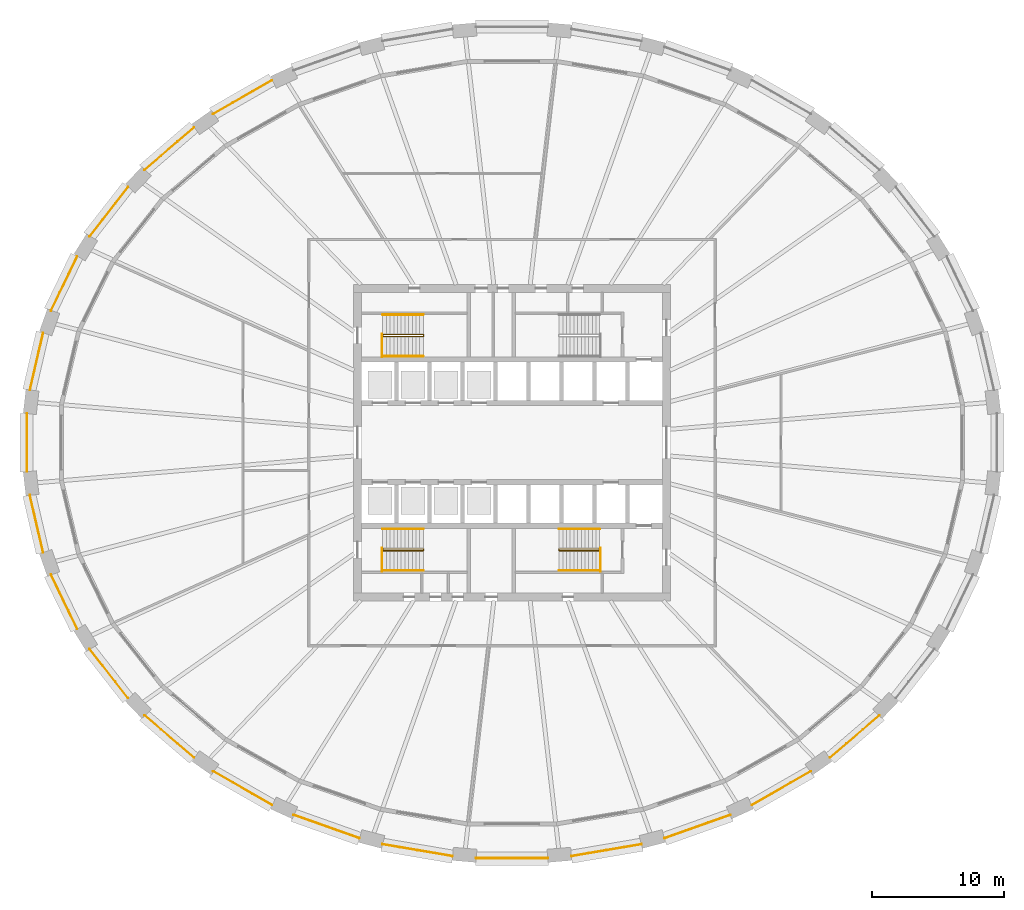
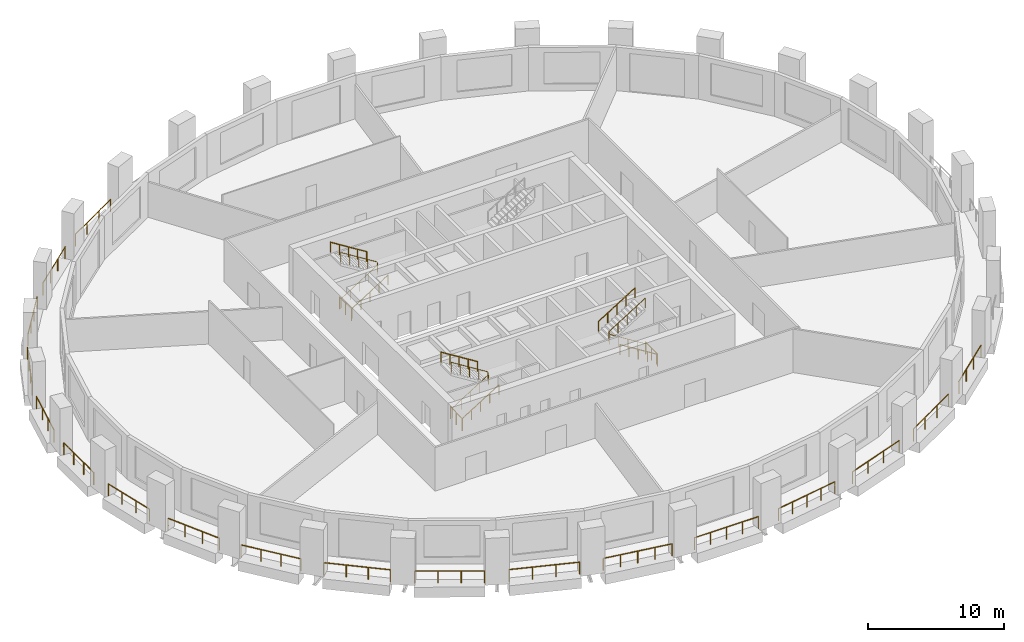
# One storey, part 8 of 10: 30 railings.
"""IFC4 building model written with IfcOpenShell, lengths in metres."""

from ifc_helpers import new_model, si_unit, direction, frame, origin, origin_2d, place, context, subcontext, project, spatial, circle, extrude, material, type_object, element, save


model = new_model("IFC4")

# Units and contexts
model_context = context("Model", 3, precision=1e-05, world=origin(), true_north=direction((0.0, 1.0)))
body_context = subcontext(model_context, "Body", "Model", "MODEL_VIEW")
ifc_project = project(units=[si_unit("LENGTHUNIT", "METRE"), si_unit("AREAUNIT", "SQUARE_METRE"), si_unit("VOLUMEUNIT", "CUBIC_METRE"), si_unit("PLANEANGLEUNIT", "RADIAN"), si_unit("MASSUNIT", "GRAM", prefix="KILO")], contexts=[model_context])

# Site, building, storey
site_placement = place(None, origin())
site = spatial("IfcSite", under=ifc_project, at=site_placement, CompositionType="ELEMENT")
building_placement = place(site_placement, origin())
building = spatial("IfcBuilding", under=site, at=building_placement, Name="Halqa Exchange Tower", CompositionType="ELEMENT")
storey_placement = place(building_placement, frame((0.0, 0.0, 69.699951171875)))
storey = spatial("IfcBuildingStorey", under=building, at=storey_placement, Name="L15", CompositionType="ELEMENT", Elevation=69.699951171875)

# Railings
ifc_material = material(Name="Stainless steel", Category="steel")
railing_type_1 = type_object("IfcRailingType", Name="Guard 1100 stainless steel", PredefinedType="GUARDRAIL", material=ifc_material)
railing_1_placement = place(storey_placement, frame((-18.189208984375, 27.468505859375, 0.0)))
element("IfcRailing", 1, at=railing_1_placement, inside=storey, type_object=railing_type_1, Name="Loggia guard 11", PredefinedType="GUARDRAIL", context=body_context, shape_type="SweptSolid", body=[
    extrude(circle(Radius=0.02392578125, at=origin_2d()), frame((0.0, 0.0, 1.076171875), z_axis=(-0.8677425464, -0.497013956713, 0.0), x_axis=(0.497013956713, -0.8677425464, 0.0)), (0.0, 0.0, 1.0), 5.13671875),
    extrude(circle(Radius=0.02099609375, at=origin_2d()), origin(), (0.0, 0.0, 1.0), 1.052001953125),
    extrude(circle(Radius=0.02099609375, at=origin_2d()), frame((-1.48583984375, -0.85107421875, 0.0)), (0.0, 0.0, 1.0), 1.052001953125),
    extrude(circle(Radius=0.02099609375, at=origin_2d()), frame((-2.971435546875, -1.701904296875, 0.0)), (0.0, 0.0, 1.0), 1.052001953125),
    extrude(circle(Radius=0.02099609375, at=origin_2d()), frame((-4.457275390625, -2.552978515625, 0.0)), (0.0, 0.0, 1.0), 1.052001953125),
])
railing_2_placement = place(storey_placement, frame((-24.11083984375, 23.882568359375, 0.0)))
element("IfcRailing", 2, at=railing_2_placement, inside=storey, type_object=railing_type_1, Name="Loggia guard 12", PredefinedType="GUARDRAIL", context=body_context, shape_type="SweptSolid", body=[
    extrude(circle(Radius=0.02392578125, at=origin_2d()), frame((0.0, 0.0, 1.076171875), z_axis=(-0.759267063974, -0.650779168048, 0.0), x_axis=(0.650779168048, -0.759267063974, 0.0)), (0.0, 0.0, 1.0), 4.94189453125),
    extrude(circle(Radius=0.02099609375, at=origin_2d()), origin(), (0.0, 0.0, 1.0), 1.052001953125),
    extrude(circle(Radius=0.02099609375, at=origin_2d()), frame((-1.250732421875, -1.072021484375, 0.0)), (0.0, 0.0, 1.0), 1.052001953125),
    extrude(circle(Radius=0.02099609375, at=origin_2d()), frame((-2.50146484375, -2.14404296875, 0.0)), (0.0, 0.0, 1.0), 1.052001953125),
    extrude(circle(Radius=0.02099609375, at=origin_2d()), frame((-3.752197265625, -3.216064453125, 0.0)), (0.0, 0.0, 1.0), 1.052001953125),
])
railing_3_placement = place(storey_placement, frame((-29.099853515625, 19.370849609375, 0.0)))
element("IfcRailing", 3, at=railing_3_placement, inside=storey, type_object=railing_type_1, Name="Loggia guard 13", PredefinedType="GUARDRAIL", context=body_context, shape_type="SweptSolid", body=[
    extrude(circle(Radius=0.02392578125, at=origin_2d()), frame((0.0, 0.0, 1.076171875), z_axis=(-0.614806413859, -0.788678054391, 0.0), x_axis=(0.788678054391, -0.614806413859, 0.0)), (0.0, 0.0, 1.0), 4.74169921875),
    extrude(circle(Radius=0.02099609375, at=origin_2d()), origin(), (0.0, 0.0, 1.0), 1.052001953125),
    extrude(circle(Radius=0.02099609375, at=origin_2d()), frame((-0.9716796875, -1.24658203125, 0.0)), (0.0, 0.0, 1.0), 1.052001953125),
    extrude(circle(Radius=0.02099609375, at=origin_2d()), frame((-1.943603515625, -2.4931640625, 0.0)), (0.0, 0.0, 1.0), 1.052001953125),
    extrude(circle(Radius=0.02099609375, at=origin_2d()), frame((-2.915283203125, -3.73974609375, 0.0)), (0.0, 0.0, 1.0), 1.052001953125),
])
railing_4_placement = place(storey_placement, frame((-32.9599609375, 14.111083984375, 0.0)))
element("IfcRailing", 4, at=railing_4_placement, inside=storey, type_object=railing_type_1, Name="Loggia guard 14", PredefinedType="GUARDRAIL", context=body_context, shape_type="SweptSolid", body=[
    extrude(circle(Radius=0.02392578125, at=origin_2d()), frame((0.0, 0.0, 1.076171875), z_axis=(-0.435070438407, -0.900396420264, 0.0), x_axis=(0.900396420264, -0.435070438407, 0.0)), (0.0, 0.0, 1.0), 4.567138671875),
    extrude(circle(Radius=0.02099609375, at=origin_2d()), origin(), (0.0, 0.0, 1.0), 1.052001953125),
    extrude(circle(Radius=0.02099609375, at=origin_2d()), frame((-0.662353515625, -1.370849609375, 0.0)), (0.0, 0.0, 1.0), 1.052001953125),
    extrude(circle(Radius=0.02099609375, at=origin_2d()), frame((-1.32470703125, -2.741455078125, 0.0)), (0.0, 0.0, 1.0), 1.052001953125),
    extrude(circle(Radius=0.02099609375, at=origin_2d()), frame((-1.987060546875, -4.1123046875, 0.0)), (0.0, 0.0, 1.0), 1.052001953125),
])
railing_5_placement = place(storey_placement, frame((-35.542236328125, 8.311767578125, 0.0)))
element("IfcRailing", 5, at=railing_5_placement, inside=storey, type_object=railing_type_1, Name="Loggia guard 15", PredefinedType="GUARDRAIL", context=body_context, shape_type="SweptSolid", body=[
    extrude(circle(Radius=0.02392578125, at=origin_2d()), frame((0.0, 0.0, 1.076171875), z_axis=(-0.226045997866, -0.974116628977, 0.0), x_axis=(0.974116628977, -0.226045997866, 0.0)), (0.0, 0.0, 1.0), 4.44775390625),
    extrude(circle(Radius=0.02099609375, at=origin_2d()), origin(), (0.0, 0.0, 1.0), 1.052001953125),
    extrude(circle(Radius=0.02099609375, at=origin_2d()), frame((-0.335205078125, -1.444091796875, 0.0)), (0.0, 0.0, 1.0), 1.052001953125),
    extrude(circle(Radius=0.02099609375, at=origin_2d()), frame((-0.670166015625, -2.888427734375, 0.0)), (0.0, 0.0, 1.0), 1.052001953125),
    extrude(circle(Radius=0.02099609375, at=origin_2d()), frame((-1.00537109375, -4.33251953125, 0.0)), (0.0, 0.0, 1.0), 1.052001953125),
])
railing_6_placement = place(storey_placement, frame((-36.751220703125, 2.202392578125, 0.0)))
element("IfcRailing", 6, at=railing_6_placement, inside=storey, type_object=railing_type_1, Name="Loggia guard 16", PredefinedType="GUARDRAIL", context=body_context, shape_type="SweptSolid", body=[
    extrude(circle(Radius=0.02392578125, at=origin_2d()), frame((0.0, 0.0, 1.076171875), z_axis=(0.0, -1.0, 0.0), x_axis=(1.0, 0.0, 0.0)), (0.0, 0.0, 1.0), 4.40478515625),
    extrude(circle(Radius=0.02099609375, at=origin_2d()), origin(), (0.0, 0.0, 1.0), 1.052001953125),
    extrude(circle(Radius=0.02099609375, at=origin_2d()), frame((0.0, -1.46826171875, 0.0)), (0.0, 0.0, 1.0), 1.052001953125),
    extrude(circle(Radius=0.02099609375, at=origin_2d()), frame((0.0, -2.9365234375, 0.0)), (0.0, 0.0, 1.0), 1.052001953125),
    extrude(circle(Radius=0.02099609375, at=origin_2d()), frame((0.0, -4.40478515625, 0.0)), (0.0, 0.0, 1.0), 1.052001953125),
])
railing_7_placement = place(storey_placement, frame((-36.547607421875, -3.979248046875, 0.0)))
element("IfcRailing", 7, at=railing_7_placement, inside=storey, type_object=railing_type_1, Name="Loggia guard 17", PredefinedType="GUARDRAIL", context=body_context, shape_type="SweptSolid", body=[
    extrude(circle(Radius=0.02392578125, at=origin_2d()), frame((0.0, 0.0, 1.076171875), z_axis=(0.226045997866, -0.974116628977, 0.0), x_axis=(0.974116628977, 0.226045997866, 0.0)), (0.0, 0.0, 1.0), 4.44775390625),
    extrude(circle(Radius=0.02099609375, at=origin_2d()), origin(), (0.0, 0.0, 1.0), 1.052001953125),
    extrude(circle(Radius=0.02099609375, at=origin_2d()), frame((0.335205078125, -1.444091796875, 0.0)), (0.0, 0.0, 1.0), 1.052001953125),
    extrude(circle(Radius=0.02099609375, at=origin_2d()), frame((0.670166015625, -2.888427734375, 0.0)), (0.0, 0.0, 1.0), 1.052001953125),
    extrude(circle(Radius=0.02099609375, at=origin_2d()), frame((1.00537109375, -4.33251953125, 0.0)), (0.0, 0.0, 1.0), 1.052001953125),
])
railing_8_placement = place(storey_placement, frame((-34.947021484375, -9.998779296875, 0.0)))
element("IfcRailing", 8, at=railing_8_placement, inside=storey, type_object=railing_type_1, Name="Loggia guard 18", PredefinedType="GUARDRAIL", context=body_context, shape_type="SweptSolid", body=[
    extrude(circle(Radius=0.02392578125, at=origin_2d()), frame((0.0, 0.0, 1.076171875), z_axis=(0.435070438407, -0.900396420264, 0.0), x_axis=(0.900396420264, 0.435070438407, 0.0)), (0.0, 0.0, 1.0), 4.567138671875),
    extrude(circle(Radius=0.02099609375, at=origin_2d()), origin(), (0.0, 0.0, 1.0), 1.052001953125),
    extrude(circle(Radius=0.02099609375, at=origin_2d()), frame((0.662353515625, -1.370849609375, 0.0)), (0.0, 0.0, 1.0), 1.052001953125),
    extrude(circle(Radius=0.02099609375, at=origin_2d()), frame((1.32470703125, -2.741455078125, 0.0)), (0.0, 0.0, 1.0), 1.052001953125),
    extrude(circle(Radius=0.02099609375, at=origin_2d()), frame((1.987060546875, -4.1123046875, 0.0)), (0.0, 0.0, 1.0), 1.052001953125),
])
railing_9_placement = place(storey_placement, frame((-32.01513671875, -15.631103515625, 0.0)))
element("IfcRailing", 9, at=railing_9_placement, inside=storey, type_object=railing_type_1, Name="Loggia guard 19", PredefinedType="GUARDRAIL", context=body_context, shape_type="SweptSolid", body=[
    extrude(circle(Radius=0.02392578125, at=origin_2d()), frame((0.0, 0.0, 1.076171875), z_axis=(0.614806413859, -0.788678054391, 0.0), x_axis=(0.788678054391, 0.614806413859, 0.0)), (0.0, 0.0, 1.0), 4.74169921875),
    extrude(circle(Radius=0.02099609375, at=origin_2d()), origin(), (0.0, 0.0, 1.0), 1.052001953125),
    extrude(circle(Radius=0.02099609375, at=origin_2d()), frame((0.9716796875, -1.24658203125, 0.0)), (0.0, 0.0, 1.0), 1.052001953125),
    extrude(circle(Radius=0.02099609375, at=origin_2d()), frame((1.943603515625, -2.4931640625, 0.0)), (0.0, 0.0, 1.0), 1.052001953125),
    extrude(circle(Radius=0.02099609375, at=origin_2d()), frame((2.915283203125, -3.73974609375, 0.0)), (0.0, 0.0, 1.0), 1.052001953125),
])
railing_10_placement = place(storey_placement, frame((-27.863037109375, -20.66650390625, 0.0)))
element("IfcRailing", 10, at=railing_10_placement, inside=storey, type_object=railing_type_1, Name="Loggia guard 20", PredefinedType="GUARDRAIL", context=body_context, shape_type="SweptSolid", body=[
    extrude(circle(Radius=0.02392578125, at=origin_2d()), frame((0.0, 0.0, 1.076171875), z_axis=(0.759267063974, -0.650779168048, 0.0), x_axis=(0.650779168048, 0.759267063974, 0.0)), (0.0, 0.0, 1.0), 4.94189453125),
    extrude(circle(Radius=0.02099609375, at=origin_2d()), origin(), (0.0, 0.0, 1.0), 1.052001953125),
    extrude(circle(Radius=0.02099609375, at=origin_2d()), frame((1.250732421875, -1.072021484375, 0.0)), (0.0, 0.0, 1.0), 1.052001953125),
    extrude(circle(Radius=0.02099609375, at=origin_2d()), frame((2.50146484375, -2.14404296875, 0.0)), (0.0, 0.0, 1.0), 1.052001953125),
    extrude(circle(Radius=0.02099609375, at=origin_2d()), frame((3.752197265625, -3.216064453125, 0.0)), (0.0, 0.0, 1.0), 1.052001953125),
])
railing_11_placement = place(storey_placement, frame((-22.646484375, -24.91552734375, 0.0)))
element("IfcRailing", 11, at=railing_11_placement, inside=storey, type_object=railing_type_1, Name="Loggia guard 21", PredefinedType="GUARDRAIL", context=body_context, shape_type="SweptSolid", body=[
    extrude(circle(Radius=0.02392578125, at=origin_2d()), frame((0.0, 0.0, 1.076171875), z_axis=(0.8677425464, -0.497013956713, 0.0), x_axis=(0.497013956713, 0.8677425464, 0.0)), (0.0, 0.0, 1.0), 5.13671875),
    extrude(circle(Radius=0.02099609375, at=origin_2d()), origin(), (0.0, 0.0, 1.0), 1.052001953125),
    extrude(circle(Radius=0.02099609375, at=origin_2d()), frame((1.48583984375, -0.85107421875, 0.0)), (0.0, 0.0, 1.0), 1.052001953125),
    extrude(circle(Radius=0.02099609375, at=origin_2d()), frame((2.971435546875, -1.701904296875, 0.0)), (0.0, 0.0, 1.0), 1.052001953125),
    extrude(circle(Radius=0.02099609375, at=origin_2d()), frame((4.457275390625, -2.552978515625, 0.0)), (0.0, 0.0, 1.0), 1.052001953125),
])
railing_12_placement = place(storey_placement, frame((-16.56005859375, -28.216796875, 0.0)))
element("IfcRailing", 12, at=railing_12_placement, inside=storey, type_object=railing_type_1, Name="Loggia guard 22", PredefinedType="GUARDRAIL", context=body_context, shape_type="SweptSolid", body=[
    extrude(circle(Radius=0.02392578125, at=origin_2d()), frame((0.0, 0.0, 1.076171875), z_axis=(0.942360724368, -0.334598662831, 0.0), x_axis=(0.334598662831, 0.942360724368, 0.0)), (0.0, 0.0, 1.0), 5.29736328125),
    extrude(circle(Radius=0.02099609375, at=origin_2d()), origin(), (0.0, 0.0, 1.0), 1.052001953125),
    extrude(circle(Radius=0.02099609375, at=origin_2d()), frame((1.6640625, -0.5908203125, 0.0)), (0.0, 0.0, 1.0), 1.052001953125),
    extrude(circle(Radius=0.02099609375, at=origin_2d()), frame((3.327880859375, -1.181640625, 0.0)), (0.0, 0.0, 1.0), 1.052001953125),
    extrude(circle(Radius=0.02099609375, at=origin_2d()), frame((4.991943359375, -1.7724609375, 0.0)), (0.0, 0.0, 1.0), 1.052001953125),
])
railing_13_placement = place(storey_placement, frame((-9.832763671875, -30.441650390625, 0.0)))
element("IfcRailing", 13, at=railing_13_placement, inside=storey, type_object=railing_type_1, Name="Loggia guard 23", PredefinedType="GUARDRAIL", context=body_context, shape_type="SweptSolid", body=[
    extrude(circle(Radius=0.02392578125, at=origin_2d()), frame((0.0, 0.0, 1.076171875), z_axis=(0.985777718066, -0.168054427389, 0.0), x_axis=(0.168054427389, 0.985777718066, 0.0)), (0.0, 0.0, 1.0), 5.40283203125),
    extrude(circle(Radius=0.02099609375, at=origin_2d()), origin(), (0.0, 0.0, 1.0), 1.052001953125),
    extrude(circle(Radius=0.02099609375, at=origin_2d()), frame((1.33154296875, -0.22705078125, 0.0)), (0.0, 0.0, 1.0), 1.052001953125),
    extrude(circle(Radius=0.02099609375, at=origin_2d()), frame((2.6630859375, -0.4541015625, 0.0)), (0.0, 0.0, 1.0), 1.052001953125),
    extrude(circle(Radius=0.02099609375, at=origin_2d()), frame((3.994384765625, -0.680908203125, 0.0)), (0.0, 0.0, 1.0), 1.052001953125),
    extrude(circle(Radius=0.02099609375, at=origin_2d()), frame((5.325927734375, -0.907958984375, 0.0)), (0.0, 0.0, 1.0), 1.052001953125),
])
railing_14_placement = place(storey_placement, frame((-2.7197265625, -31.5009765625, 0.0)))
element("IfcRailing", 14, at=railing_14_placement, inside=storey, type_object=railing_type_1, Name="Loggia guard 24", PredefinedType="GUARDRAIL", context=body_context, shape_type="SweptSolid", body=[
    extrude(circle(Radius=0.02392578125, at=origin_2d()), frame((0.0, 0.0, 1.076171875), z_axis=(1.0, 0.0, 0.0), x_axis=(0.0, 1.0, 0.0)), (0.0, 0.0, 1.0), 5.439453125),
    extrude(circle(Radius=0.02099609375, at=origin_2d()), origin(), (0.0, 0.0, 1.0), 1.052001953125),
    extrude(circle(Radius=0.02099609375, at=origin_2d()), frame((1.35986328125, 0.0, 0.0)), (0.0, 0.0, 1.0), 1.052001953125),
    extrude(circle(Radius=0.02099609375, at=origin_2d()), frame((2.7197265625, 0.0, 0.0)), (0.0, 0.0, 1.0), 1.052001953125),
    extrude(circle(Radius=0.02099609375, at=origin_2d()), frame((4.07958984375, 0.0, 0.0)), (0.0, 0.0, 1.0), 1.052001953125),
    extrude(circle(Radius=0.02099609375, at=origin_2d()), frame((5.439453125, 0.0, 0.0)), (0.0, 0.0, 1.0), 1.052001953125),
])
railing_15_placement = place(storey_placement, frame((4.5068359375, -31.349609375, 0.0)))
element("IfcRailing", 15, at=railing_15_placement, inside=storey, type_object=railing_type_1, Name="Loggia guard 25", PredefinedType="GUARDRAIL", context=body_context, shape_type="SweptSolid", body=[
    extrude(circle(Radius=0.02392578125, at=origin_2d()), frame((0.0, 0.0, 1.076171875), z_axis=(0.985777718066, 0.168054427389, 0.0), x_axis=(-0.168054427389, 0.985777718066, 0.0)), (0.0, 0.0, 1.0), 5.40283203125),
    extrude(circle(Radius=0.02099609375, at=origin_2d()), origin(), (0.0, 0.0, 1.0), 1.052001953125),
    extrude(circle(Radius=0.02099609375, at=origin_2d()), frame((1.33154296875, 0.22705078125, 0.0)), (0.0, 0.0, 1.0), 1.052001953125),
    extrude(circle(Radius=0.02099609375, at=origin_2d()), frame((2.6630859375, 0.4541015625, 0.0)), (0.0, 0.0, 1.0), 1.052001953125),
    extrude(circle(Radius=0.02099609375, at=origin_2d()), frame((3.994384765625, 0.680908203125, 0.0)), (0.0, 0.0, 1.0), 1.052001953125),
    extrude(circle(Radius=0.02099609375, at=origin_2d()), frame((5.325927734375, 0.907958984375, 0.0)), (0.0, 0.0, 1.0), 1.052001953125),
])
railing_16_placement = place(storey_placement, frame((11.568115234375, -29.9892578125, 0.0)))
element("IfcRailing", 16, at=railing_16_placement, inside=storey, type_object=railing_type_1, Name="Loggia guard 26", PredefinedType="GUARDRAIL", context=body_context, shape_type="SweptSolid", body=[
    extrude(circle(Radius=0.02392578125, at=origin_2d()), frame((0.0, 0.0, 1.076171875), z_axis=(0.942360724368, 0.334598662831, 0.0), x_axis=(-0.334598662831, 0.942360724368, 0.0)), (0.0, 0.0, 1.0), 5.29736328125),
    extrude(circle(Radius=0.02099609375, at=origin_2d()), origin(), (0.0, 0.0, 1.0), 1.052001953125),
    extrude(circle(Radius=0.02099609375, at=origin_2d()), frame((1.6640625, 0.5908203125, 0.0)), (0.0, 0.0, 1.0), 1.052001953125),
    extrude(circle(Radius=0.02099609375, at=origin_2d()), frame((3.327880859375, 1.181640625, 0.0)), (0.0, 0.0, 1.0), 1.052001953125),
    extrude(circle(Radius=0.02099609375, at=origin_2d()), frame((4.991943359375, 1.7724609375, 0.0)), (0.0, 0.0, 1.0), 1.052001953125),
])
railing_17_placement = place(storey_placement, frame((18.189208984375, -27.468505859375, 0.0)))
element("IfcRailing", 17, at=railing_17_placement, inside=storey, type_object=railing_type_1, Name="Loggia guard 27", PredefinedType="GUARDRAIL", context=body_context, shape_type="SweptSolid", body=[
    extrude(circle(Radius=0.02392578125, at=origin_2d()), frame((0.0, 0.0, 1.076171875), z_axis=(0.8677425464, 0.497013956713, 0.0), x_axis=(-0.497013956713, 0.8677425464, 0.0)), (0.0, 0.0, 1.0), 5.13671875),
    extrude(circle(Radius=0.02099609375, at=origin_2d()), origin(), (0.0, 0.0, 1.0), 1.052001953125),
    extrude(circle(Radius=0.02099609375, at=origin_2d()), frame((1.48583984375, 0.85107421875, 0.0)), (0.0, 0.0, 1.0), 1.052001953125),
    extrude(circle(Radius=0.02099609375, at=origin_2d()), frame((2.971435546875, 1.701904296875, 0.0)), (0.0, 0.0, 1.0), 1.052001953125),
    extrude(circle(Radius=0.02099609375, at=origin_2d()), frame((4.457275390625, 2.552978515625, 0.0)), (0.0, 0.0, 1.0), 1.052001953125),
])
railing_18_placement = place(storey_placement, frame((24.11083984375, -23.882568359375, 0.0)))
element("IfcRailing", 18, at=railing_18_placement, inside=storey, type_object=railing_type_1, Name="Loggia guard 28", PredefinedType="GUARDRAIL", context=body_context, shape_type="SweptSolid", body=[
    extrude(circle(Radius=0.02392578125, at=origin_2d()), frame((0.0, 0.0, 1.076171875), z_axis=(0.759267063974, 0.650779168048, 0.0), x_axis=(-0.650779168048, 0.759267063974, 0.0)), (0.0, 0.0, 1.0), 4.94189453125),
    extrude(circle(Radius=0.02099609375, at=origin_2d()), origin(), (0.0, 0.0, 1.0), 1.052001953125),
    extrude(circle(Radius=0.02099609375, at=origin_2d()), frame((1.250732421875, 1.072021484375, 0.0)), (0.0, 0.0, 1.0), 1.052001953125),
    extrude(circle(Radius=0.02099609375, at=origin_2d()), frame((2.50146484375, 2.14404296875, 0.0)), (0.0, 0.0, 1.0), 1.052001953125),
    extrude(circle(Radius=0.02099609375, at=origin_2d()), frame((3.752197265625, 3.216064453125, 0.0)), (0.0, 0.0, 1.0), 1.052001953125),
])
railing_type_2 = type_object("IfcRailingType", Name="Stair handrail 900", PredefinedType="HANDRAIL", material=ifc_material)
railing_19_placement = place(storey_placement, frame((-9.800048828125, 8.06005859375, 0.175048828125)))
element("IfcRailing", 19, at=railing_19_placement, inside=storey, type_object=railing_type_2, Name="Handrail ST1.1", PredefinedType="HANDRAIL", context=body_context, shape_type="SweptSolid", body=[
    extrude(circle(Radius=0.02392578125, at=origin_2d()), frame((0.0, 0.0, 0.8759765625), z_axis=(0.847998304005, 0.0, 0.529998940003), x_axis=(0.0, 1.0, 0.0)), (0.0, 0.0, 1.0), 3.632080078125),
    extrude(circle(Radius=0.02392578125, at=origin_2d()), frame((3.080078125, 0.0, 2.80078125), z_axis=(0.0, 0.595870227118, 0.803080738428), x_axis=(-1.0, 0.0, 0.0)), (0.0, 0.0, 1.0), 0.218017578125),
    extrude(circle(Radius=0.02392578125, at=origin_2d()), frame((3.080078125, 0.1298828125, 2.97607421875), z_axis=(-0.848028513186, 0.0, 0.529950602248), x_axis=(0.0, -1.0, 0.0)), (0.0, 0.0, 1.0), 3.632080078125),
    extrude(circle(Radius=0.02099609375, at=origin_2d()), origin(), (0.0, 0.0, 1.0), 0.851806640625),
    extrude(circle(Radius=0.02099609375, at=origin_2d()), frame((0.77001953125, 0.0, 0.481201171875)), (0.0, 0.0, 1.0), 0.851806640625),
    extrude(circle(Radius=0.02099609375, at=origin_2d()), frame((1.5400390625, 0.0, 0.96240234375)), (0.0, 0.0, 1.0), 0.851806640625),
    extrude(circle(Radius=0.02099609375, at=origin_2d()), frame((2.31005859375, 0.0, 1.44384765625)), (0.0, 0.0, 1.0), 0.851806640625),
    extrude(circle(Radius=0.02099609375, at=origin_2d()), frame((3.080078125, 0.0, 1.925048828125)), (0.0, 0.0, 1.0), 0.851806640625),
    extrude(circle(Radius=0.02099609375, at=origin_2d()), frame((3.080078125, 0.1298828125, 2.10009765625)), (0.0, 0.0, 1.0), 0.851806640625),
    extrude(circle(Radius=0.02099609375, at=origin_2d()), frame((2.31005859375, 0.1298828125, 2.581298828125)), (0.0, 0.0, 1.0), 0.851806640625),
    extrude(circle(Radius=0.02099609375, at=origin_2d()), frame((1.5400390625, 0.1298828125, 3.0625)), (0.0, 0.0, 1.0), 0.851806640625),
    extrude(circle(Radius=0.02099609375, at=origin_2d()), frame((0.77001953125, 0.1298828125, 3.543701171875)), (0.0, 0.0, 1.0), 0.851806640625),
    extrude(circle(Radius=0.02099609375, at=origin_2d()), frame((0.0, 0.1298828125, 4.02490234375)), (0.0, 0.0, 1.0), 0.851806640625),
])
railing_20_placement = place(storey_placement, frame((-9.800048828125, 6.550048828125, 0.175048828125)))
element("IfcRailing", 20, at=railing_20_placement, inside=storey, type_object=railing_type_2, Name="Handrail ST1.2", PredefinedType="HANDRAIL", context=body_context, shape_type="SweptSolid", body=[
    extrude(circle(Radius=0.02392578125, at=origin_2d()), frame((0.0, 0.0, 0.8759765625), z_axis=(0.847998304005, 0.0, 0.529998940003), x_axis=(0.0, 1.0, 0.0)), (0.0, 0.0, 1.0), 3.632080078125),
    extrude(circle(Radius=0.02099609375, at=origin_2d()), origin(), (0.0, 0.0, 1.0), 0.851806640625),
    extrude(circle(Radius=0.02099609375, at=origin_2d()), frame((0.77001953125, 0.0, 0.481201171875)), (0.0, 0.0, 1.0), 0.851806640625),
    extrude(circle(Radius=0.02099609375, at=origin_2d()), frame((1.5400390625, 0.0, 0.96240234375)), (0.0, 0.0, 1.0), 0.851806640625),
    extrude(circle(Radius=0.02099609375, at=origin_2d()), frame((2.31005859375, 0.0, 1.44384765625)), (0.0, 0.0, 1.0), 0.851806640625),
    extrude(circle(Radius=0.02099609375, at=origin_2d()), frame((3.080078125, 0.0, 1.925048828125)), (0.0, 0.0, 1.0), 0.851806640625),
])
railing_21_placement = place(storey_placement, frame((-6.719970703125, 9.699951171875, 2.275146484375)))
element("IfcRailing", 21, at=railing_21_placement, inside=storey, type_object=railing_type_2, Name="Handrail ST1.3", PredefinedType="HANDRAIL", context=body_context, shape_type="SweptSolid", body=[
    extrude(circle(Radius=0.02392578125, at=origin_2d()), frame((0.0, 0.0, 0.8759765625), z_axis=(-0.848028513186, 0.0, 0.529950602248), x_axis=(0.0, -1.0, 0.0)), (0.0, 0.0, 1.0), 3.632080078125),
    extrude(circle(Radius=0.02099609375, at=origin_2d()), origin(), (0.0, 0.0, 1.0), 0.851806640625),
    extrude(circle(Radius=0.02099609375, at=origin_2d()), frame((-0.77001953125, 0.0, 0.481201171875)), (0.0, 0.0, 1.0), 0.851806640625),
    extrude(circle(Radius=0.02099609375, at=origin_2d()), frame((-1.5400390625, 0.0, 0.96240234375)), (0.0, 0.0, 1.0), 0.851806640625),
    extrude(circle(Radius=0.02099609375, at=origin_2d()), frame((-2.31005859375, 0.0, 1.443603515625)), (0.0, 0.0, 1.0), 0.851806640625),
    extrude(circle(Radius=0.02099609375, at=origin_2d()), frame((-3.080078125, 0.0, 1.9248046875)), (0.0, 0.0, 1.0), 0.851806640625),
])
railing_22_placement = place(storey_placement, frame((-9.800048828125, -8.18994140625, 0.175048828125)))
element("IfcRailing", 22, at=railing_22_placement, inside=storey, type_object=railing_type_2, Name="Handrail ST3.1", PredefinedType="HANDRAIL", context=body_context, shape_type="SweptSolid", body=[
    extrude(circle(Radius=0.02392578125, at=origin_2d()), frame((0.0, 0.0, 0.8759765625), z_axis=(0.847998304005, 0.0, 0.529998940003), x_axis=(0.0, 1.0, 0.0)), (0.0, 0.0, 1.0), 3.632080078125),
    extrude(circle(Radius=0.02392578125, at=origin_2d()), frame((3.080078125, 0.0, 2.80078125), z_axis=(0.0, 0.595870227118, 0.803080738428), x_axis=(-1.0, 0.0, 0.0)), (0.0, 0.0, 1.0), 0.218017578125),
    extrude(circle(Radius=0.02392578125, at=origin_2d()), frame((3.080078125, 0.1298828125, 2.97607421875), z_axis=(-0.848028513186, 0.0, 0.529950602248), x_axis=(0.0, -1.0, 0.0)), (0.0, 0.0, 1.0), 3.632080078125),
    extrude(circle(Radius=0.02099609375, at=origin_2d()), origin(), (0.0, 0.0, 1.0), 0.851806640625),
    extrude(circle(Radius=0.02099609375, at=origin_2d()), frame((0.77001953125, 0.0, 0.481201171875)), (0.0, 0.0, 1.0), 0.851806640625),
    extrude(circle(Radius=0.02099609375, at=origin_2d()), frame((1.5400390625, 0.0, 0.96240234375)), (0.0, 0.0, 1.0), 0.851806640625),
    extrude(circle(Radius=0.02099609375, at=origin_2d()), frame((2.31005859375, 0.0, 1.44384765625)), (0.0, 0.0, 1.0), 0.851806640625),
    extrude(circle(Radius=0.02099609375, at=origin_2d()), frame((3.080078125, 0.0, 1.925048828125)), (0.0, 0.0, 1.0), 0.851806640625),
    extrude(circle(Radius=0.02099609375, at=origin_2d()), frame((3.080078125, 0.1298828125, 2.10009765625)), (0.0, 0.0, 1.0), 0.851806640625),
    extrude(circle(Radius=0.02099609375, at=origin_2d()), frame((2.31005859375, 0.1298828125, 2.581298828125)), (0.0, 0.0, 1.0), 0.851806640625),
    extrude(circle(Radius=0.02099609375, at=origin_2d()), frame((1.5400390625, 0.1298828125, 3.0625)), (0.0, 0.0, 1.0), 0.851806640625),
    extrude(circle(Radius=0.02099609375, at=origin_2d()), frame((0.77001953125, 0.1298828125, 3.543701171875)), (0.0, 0.0, 1.0), 0.851806640625),
    extrude(circle(Radius=0.02099609375, at=origin_2d()), frame((0.0, 0.1298828125, 4.02490234375)), (0.0, 0.0, 1.0), 0.851806640625),
])
railing_23_placement = place(storey_placement, frame((-9.800048828125, -9.699951171875, 0.175048828125)))
element("IfcRailing", 23, at=railing_23_placement, inside=storey, type_object=railing_type_2, Name="Handrail ST3.2", PredefinedType="HANDRAIL", context=body_context, shape_type="SweptSolid", body=[
    extrude(circle(Radius=0.02392578125, at=origin_2d()), frame((0.0, 0.0, 0.8759765625), z_axis=(0.847998304005, 0.0, 0.529998940003), x_axis=(0.0, 1.0, 0.0)), (0.0, 0.0, 1.0), 3.632080078125),
    extrude(circle(Radius=0.02099609375, at=origin_2d()), origin(), (0.0, 0.0, 1.0), 0.851806640625),
    extrude(circle(Radius=0.02099609375, at=origin_2d()), frame((0.77001953125, 0.0, 0.481201171875)), (0.0, 0.0, 1.0), 0.851806640625),
    extrude(circle(Radius=0.02099609375, at=origin_2d()), frame((1.5400390625, 0.0, 0.96240234375)), (0.0, 0.0, 1.0), 0.851806640625),
    extrude(circle(Radius=0.02099609375, at=origin_2d()), frame((2.31005859375, 0.0, 1.44384765625)), (0.0, 0.0, 1.0), 0.851806640625),
    extrude(circle(Radius=0.02099609375, at=origin_2d()), frame((3.080078125, 0.0, 1.925048828125)), (0.0, 0.0, 1.0), 0.851806640625),
])
railing_24_placement = place(storey_placement, frame((-6.719970703125, -6.550048828125, 2.275146484375)))
element("IfcRailing", 24, at=railing_24_placement, inside=storey, type_object=railing_type_2, Name="Handrail ST3.3", PredefinedType="HANDRAIL", context=body_context, shape_type="SweptSolid", body=[
    extrude(circle(Radius=0.02392578125, at=origin_2d()), frame((0.0, 0.0, 0.8759765625), z_axis=(-0.848028513186, 0.0, 0.529950602248), x_axis=(0.0, -1.0, 0.0)), (0.0, 0.0, 1.0), 3.632080078125),
    extrude(circle(Radius=0.02099609375, at=origin_2d()), origin(), (0.0, 0.0, 1.0), 0.851806640625),
    extrude(circle(Radius=0.02099609375, at=origin_2d()), frame((-0.77001953125, 0.0, 0.481201171875)), (0.0, 0.0, 1.0), 0.851806640625),
    extrude(circle(Radius=0.02099609375, at=origin_2d()), frame((-1.5400390625, 0.0, 0.96240234375)), (0.0, 0.0, 1.0), 0.851806640625),
    extrude(circle(Radius=0.02099609375, at=origin_2d()), frame((-2.31005859375, 0.0, 1.443603515625)), (0.0, 0.0, 1.0), 0.851806640625),
    extrude(circle(Radius=0.02099609375, at=origin_2d()), frame((-3.080078125, 0.0, 1.9248046875)), (0.0, 0.0, 1.0), 0.851806640625),
])
railing_25_placement = place(storey_placement, frame((6.64990234375, -8.18994140625, 0.175048828125)))
element("IfcRailing", 25, at=railing_25_placement, inside=storey, type_object=railing_type_2, Name="Handrail ST4.1", PredefinedType="HANDRAIL", context=body_context, shape_type="SweptSolid", body=[
    extrude(circle(Radius=0.02392578125, at=origin_2d()), frame((0.0, 0.0, 0.8759765625), z_axis=(-0.847979421464, 0.0, 0.530029150871), x_axis=(0.0, -1.0, 0.0)), (0.0, 0.0, 1.0), 3.632080078125),
    extrude(circle(Radius=0.02392578125, at=origin_2d()), frame((-3.079833984375, 0.0, 2.80078125), z_axis=(0.0, 0.595870227118, 0.803080738428), x_axis=(-1.0, 0.0, 0.0)), (0.0, 0.0, 1.0), 0.218017578125),
    extrude(circle(Radius=0.02392578125, at=origin_2d()), frame((-3.079833984375, 0.1298828125, 2.97607421875), z_axis=(0.848009633417, 0.0, 0.529980812513), x_axis=(0.0, 1.0, 0.0)), (0.0, 0.0, 1.0), 3.6318359375),
    extrude(circle(Radius=0.02099609375, at=origin_2d()), origin(), (0.0, 0.0, 1.0), 0.851806640625),
    extrude(circle(Radius=0.02099609375, at=origin_2d()), frame((-0.77001953125, 0.0, 0.481201171875)), (0.0, 0.0, 1.0), 0.851806640625),
    extrude(circle(Radius=0.02099609375, at=origin_2d()), frame((-1.5400390625, 0.0, 0.96240234375)), (0.0, 0.0, 1.0), 0.851806640625),
    extrude(circle(Radius=0.02099609375, at=origin_2d()), frame((-2.309814453125, 0.0, 1.44384765625)), (0.0, 0.0, 1.0), 0.851806640625),
    extrude(circle(Radius=0.02099609375, at=origin_2d()), frame((-3.079833984375, 0.0, 1.925048828125)), (0.0, 0.0, 1.0), 0.851806640625),
    extrude(circle(Radius=0.02099609375, at=origin_2d()), frame((-3.079833984375, 0.1298828125, 2.10009765625)), (0.0, 0.0, 1.0), 0.851806640625),
    extrude(circle(Radius=0.02099609375, at=origin_2d()), frame((-2.309814453125, 0.1298828125, 2.581298828125)), (0.0, 0.0, 1.0), 0.851806640625),
    extrude(circle(Radius=0.02099609375, at=origin_2d()), frame((-1.5400390625, 0.1298828125, 3.0625)), (0.0, 0.0, 1.0), 0.851806640625),
    extrude(circle(Radius=0.02099609375, at=origin_2d()), frame((-0.77001953125, 0.1298828125, 3.543701171875)), (0.0, 0.0, 1.0), 0.851806640625),
    extrude(circle(Radius=0.02099609375, at=origin_2d()), frame((0.0, 0.1298828125, 4.02490234375)), (0.0, 0.0, 1.0), 0.851806640625),
])
railing_26_placement = place(storey_placement, frame((6.64990234375, -9.699951171875, 0.175048828125)))
element("IfcRailing", 26, at=railing_26_placement, inside=storey, type_object=railing_type_2, Name="Handrail ST4.2", PredefinedType="HANDRAIL", context=body_context, shape_type="SweptSolid", body=[
    extrude(circle(Radius=0.02392578125, at=origin_2d()), frame((0.0, 0.0, 0.8759765625), z_axis=(-0.847979421464, 0.0, 0.530029150871), x_axis=(0.0, -1.0, 0.0)), (0.0, 0.0, 1.0), 3.632080078125),
    extrude(circle(Radius=0.02099609375, at=origin_2d()), origin(), (0.0, 0.0, 1.0), 0.851806640625),
    extrude(circle(Radius=0.02099609375, at=origin_2d()), frame((-0.77001953125, 0.0, 0.481201171875)), (0.0, 0.0, 1.0), 0.851806640625),
    extrude(circle(Radius=0.02099609375, at=origin_2d()), frame((-1.5400390625, 0.0, 0.96240234375)), (0.0, 0.0, 1.0), 0.851806640625),
    extrude(circle(Radius=0.02099609375, at=origin_2d()), frame((-2.309814453125, 0.0, 1.44384765625)), (0.0, 0.0, 1.0), 0.851806640625),
    extrude(circle(Radius=0.02099609375, at=origin_2d()), frame((-3.079833984375, 0.0, 1.925048828125)), (0.0, 0.0, 1.0), 0.851806640625),
])
railing_27_placement = place(storey_placement, frame((3.570068359375, -6.550048828125, 2.275146484375)))
element("IfcRailing", 27, at=railing_27_placement, inside=storey, type_object=railing_type_2, Name="Handrail ST4.3", PredefinedType="HANDRAIL", context=body_context, shape_type="SweptSolid", body=[
    extrude(circle(Radius=0.02392578125, at=origin_2d()), frame((0.0, 0.0, 0.8759765625), z_axis=(0.848009633417, 0.0, 0.529980812513), x_axis=(0.0, 1.0, 0.0)), (0.0, 0.0, 1.0), 3.6318359375),
    extrude(circle(Radius=0.02099609375, at=origin_2d()), origin(), (0.0, 0.0, 1.0), 0.851806640625),
    extrude(circle(Radius=0.02099609375, at=origin_2d()), frame((0.77001953125, 0.0, 0.481201171875)), (0.0, 0.0, 1.0), 0.851806640625),
    extrude(circle(Radius=0.02099609375, at=origin_2d()), frame((1.5400390625, 0.0, 0.96240234375)), (0.0, 0.0, 1.0), 0.851806640625),
    extrude(circle(Radius=0.02099609375, at=origin_2d()), frame((2.309814453125, 0.0, 1.443603515625)), (0.0, 0.0, 1.0), 0.851806640625),
    extrude(circle(Radius=0.02099609375, at=origin_2d()), frame((3.079833984375, 0.0, 1.9248046875)), (0.0, 0.0, 1.0), 0.851806640625),
])
railing_type_3 = type_object("IfcRailingType", Name="Stair well guard 1100", PredefinedType="GUARDRAIL", material=ifc_material)
for number, where, name in (
    (28, (-9.85009765625, 6.5, 0.0), "Guard ST1 well"),
    (29, (-9.85009765625, -9.75, 0.0), "Guard ST3 well"),
    (30, (6.699951171875, -9.75, 0.0), "Guard ST4 well"),
):
    element("IfcRailing", number, at=place(storey_placement, frame(where)), inside=storey, type_object=railing_type_3, Name=name, PredefinedType="GUARDRAIL", context=body_context, shape_type="SweptSolid", body=[
        extrude(circle(Radius=0.02392578125, at=origin_2d()), frame((0.0, 0.0, 1.076171875), z_axis=(0.0, 1.0, 0.0), x_axis=(-1.0, 0.0, 0.0)), (0.0, 0.0, 1.0), 1.75),
        extrude(circle(Radius=0.02099609375, at=origin_2d()), origin(), (0.0, 0.0, 1.0), 1.052001953125),
        extrude(circle(Radius=0.02099609375, at=origin_2d()), frame((0.0, 0.875, 0.0)), (0.0, 0.0, 1.0), 1.052001953125),
        extrude(circle(Radius=0.02099609375, at=origin_2d()), frame((0.0, 1.75, 0.0)), (0.0, 0.0, 1.0), 1.052001953125),
    ])

save(model, "model.ifc")
